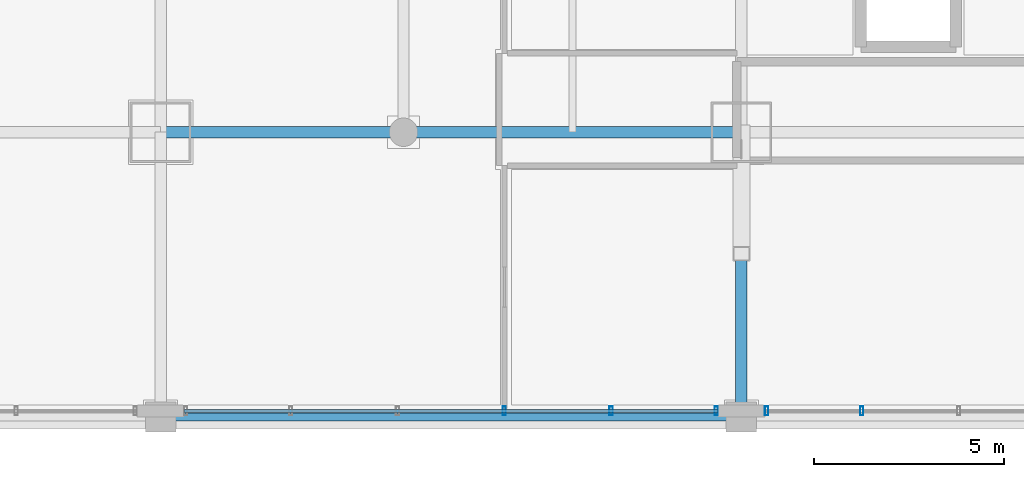
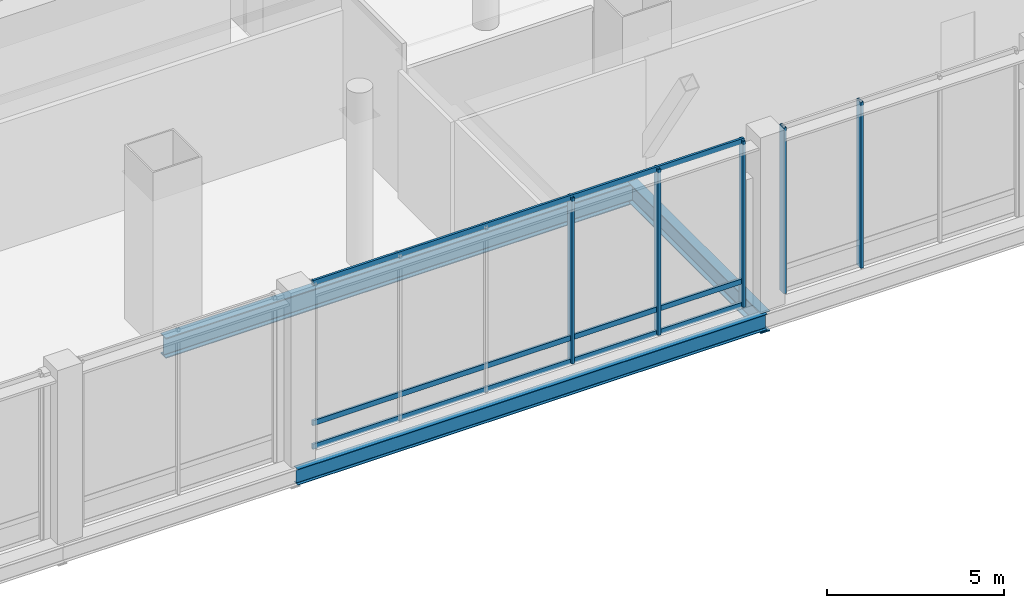
# One storey, part 7 of 38: 8 members, 3 beams, 2 elements without a shape of their own.
"""IFC4 building model written with IfcOpenShell, lengths in metres."""

import ifcopenshell
import ifcopenshell.guid

model = None  # the IFC model being written
_history = None  # IfcOwnerHistory: only IFC2X3 demands one
_inside = {}  # id of a spatial element -> (the spatial element, [elements in it])
_under = {}  # id of a project, library or spatial element -> (it, [spatial elements below it])
_declared = {}  # id of a project -> (the project, [libraries it declares])
_typed = {}  # id of a type object -> (the type object, [elements of that type])
_made_of = {}  # id of a material, layer set ... -> (it, [elements and type objects made of it])


def new_model(schema):
    """Start an empty IFC model of exactly this schema.

    Asked for "IFC4X3", IfcOpenShell would pick the latest addendum, in which some entities
    have other attributes; the version numbers below select the first issue.
    IFC2X3 requires an IfcOwnerHistory on every rooted entity: one is made here for all.
    """
    global model, _history
    if schema == "IFC4X3":
        model = ifcopenshell.file(schema_version=(4, 3, 0, 0))
    else:
        model = ifcopenshell.file(schema=schema)
    _inside.clear()
    _under.clear()
    _declared.clear()
    _typed.clear()
    _made_of.clear()
    _history = None
    if model.schema == "IFC2X3":
        org = make("IfcOrganization", Name="unknown")
        user = make(
            "IfcPersonAndOrganization",
            ThePerson=make("IfcPerson", FamilyName="unknown"),
            TheOrganization=org,
        )
        app = make(
            "IfcApplication",
            ApplicationDeveloper=org,
            Version="unknown",
            ApplicationFullName="unknown",
            ApplicationIdentifier="unknown",
        )
        _history = make(
            "IfcOwnerHistory",
            OwningUser=user,
            OwningApplication=app,
            ChangeAction="ADDED",
            CreationDate=0,
        )
    return model


def make(cls, **values):
    """One entity of the class cls with the attributes given. An attribute that is None is left unset."""
    return model.create_entity(
        cls, **{name: value for name, value in values.items() if value is not None}
    )


def rooted(cls, **values):
    """An entity with a GlobalId (a new one), such as an element, a storey or a relation."""
    return make(cls, GlobalId=ifcopenshell.guid.new(), OwnerHistory=_history, **values)


def si_unit(unit_type, name, prefix=None):
    """IfcSIUnit, for example si_unit("LENGTHUNIT", "METRE", prefix="MILLI")."""
    return make("IfcSIUnit", UnitType=unit_type, Prefix=prefix, Name=name)


def assignment(units):
    """IfcUnitAssignment: the units of a project."""
    return None if units is None else make("IfcUnitAssignment", Units=units)


def point(xyz):
    """IfcCartesianPoint."""
    return None if xyz is None else make("IfcCartesianPoint", Coordinates=xyz)


def direction(xyz):
    """IfcDirection."""
    return None if xyz is None else make("IfcDirection", DirectionRatios=xyz)


def frame(location, z_axis=None, x_axis=None):
    """IfcAxis2Placement3D, a coordinate frame: its origin and axes. An axis left out is left unset."""
    return make(
        "IfcAxis2Placement3D",
        Location=point(location),
        Axis=direction(z_axis),
        RefDirection=direction(x_axis),
    )


def frame_2d(location, x_axis=None):
    """IfcAxis2Placement2D, a coordinate frame in the plane: its origin and x axis."""
    return make(
        "IfcAxis2Placement2D", Location=point(location), RefDirection=direction(x_axis)
    )


def origin():
    """The frame at (0, 0, 0) with its axes left unset."""
    return frame((0.0, 0.0, 0.0))


def origin_2d():
    """The frame at (0, 0) in the plane with its x axis left unset."""
    return frame_2d((0.0, 0.0))


def place(relative_to, where):
    """IfcLocalPlacement: puts the frame where relative to a parent placement (None: the world)."""
    return make(
        "IfcLocalPlacement", PlacementRelTo=relative_to, RelativePlacement=where
    )


def context(
    kind, dimensions, precision=None, world=None, true_north=None, identifier=None
):
    """IfcGeometricRepresentationContext, for example the 3D "Model" context."""
    return make(
        "IfcGeometricRepresentationContext",
        ContextIdentifier=identifier,
        ContextType=kind,
        CoordinateSpaceDimension=dimensions,
        Precision=precision,
        WorldCoordinateSystem=world,
        TrueNorth=true_north,
    )


def subcontext(parent, identifier, kind, view, scale=None):
    """IfcGeometricRepresentationSubContext, for example "Body" below "Model"."""
    return make(
        "IfcGeometricRepresentationSubContext",
        ContextIdentifier=identifier,
        ContextType=kind,
        ParentContext=parent,
        TargetScale=scale,
        TargetView=view,
    )


def project(units=None, contexts=None):
    """IfcProject with its units and contexts."""
    return rooted(
        "IfcProject",
        Name="project",
        RepresentationContexts=contexts,
        UnitsInContext=assignment(units),
    )


def spatial(cls, under=None, at=None, **own):
    """A site, building, storey or space (cls), placed at a placement, below another one or the project."""
    s = rooted(cls, ObjectPlacement=at, **own)
    if under is not None:
        _under.setdefault(under.id(), (under, []))[1].append(s)
    return s


def profile(cls, at=None, kind="AREA", **sizes):
    """A parametric profile (cls). Its sizes go by their IFC names, for example OverallWidth=200.0."""
    return make(cls, ProfileType=kind, Position=at, **sizes)


def hollow_rectangle(**sizes):
    """IfcRectangleHollowProfileDef."""
    return profile("IfcRectangleHollowProfileDef", **sizes)


def i_section(**sizes):
    """IfcIShapeProfileDef."""
    return profile("IfcIShapeProfileDef", **sizes)


def extrude(swept, where, along, depth):
    """IfcExtrudedAreaSolid: the profile swept, set in the frame where, extruded along a direction by depth."""
    return make(
        "IfcExtrudedAreaSolid",
        SweptArea=swept,
        Position=where,
        ExtrudedDirection=direction(along),
        Depth=depth,
    )


def shape(context_of_items, identifier, shape_type, items):
    """IfcShapeRepresentation: the items that make up one representation, for example the "Body"."""
    return make(
        "IfcShapeRepresentation",
        ContextOfItems=context_of_items,
        RepresentationIdentifier=identifier,
        RepresentationType=shape_type,
        Items=items,
    )


def material(Name=None, Category=None):
    """IfcMaterial."""
    return make("IfcMaterial", Name=Name, Category=Category)


def material_profile(
    of_material, cross_section, Name=None, Category=None, Priority=None
):
    """IfcMaterialProfile: a cross section and its material."""
    return make(
        "IfcMaterialProfile",
        Name=Name,
        Material=of_material,
        Profile=cross_section,
        Priority=Priority,
        Category=Category,
    )


def profile_set(profiles, Name=None, composite=None):
    """IfcMaterialProfileSet."""
    return make(
        "IfcMaterialProfileSet",
        Name=Name,
        MaterialProfiles=profiles,
        CompositeProfile=composite,
    )


def made_of(thing, what):
    """Note that an element or type object is made of a material, layer set ...; save() writes the relation."""
    if what is not None:
        _made_of.setdefault(what.id(), (what, []))[1].append(thing)
    return thing


def type_object(cls, material=None, **own):
    """A type object (cls), such as IfcWallType, which elements share."""
    return made_of(rooted(cls, **own), material)


def element(
    cls,
    number,
    at=None,
    inside=None,
    cuts=None,
    type_object=None,
    material=None,
    context=None,
    identifier="Body",
    shape_type=None,
    held_by="IfcProductDefinitionShape",
    body=None,
    shapes=None,
    **own,
):
    """One element of the class cls, such as IfcWall. Its Tag is "e" and its number.

    at: its placement. inside: the storey or other place that contains it. cuts: it is an
    opening in that element (IfcRelVoidsElement). A single representation is given by context,
    identifier, shape_type and body (its items); several are given by shapes. held_by: the class
    of the entity that holds the representations. save() writes the other relations.
    """
    e = rooted(cls, Tag="e%d" % number, ObjectPlacement=at, **own)
    if body is not None:
        shapes = [shape(context, identifier, shape_type, body)]
    if shapes is not None:
        e.Representation = make(held_by, Representations=shapes)
    if inside is not None:
        _inside.setdefault(inside.id(), (inside, []))[1].append(e)
    if cuts is not None:
        rooted(
            "IfcRelVoidsElement", RelatingBuildingElement=cuts, RelatedOpeningElement=e
        )
    if type_object is not None:
        _typed.setdefault(type_object.id(), (type_object, []))[1].append(e)
    return made_of(e, material)


def aggregate(whole, parts):
    """IfcRelAggregates: a whole, such as a stair, and the parts it consists of."""
    return rooted("IfcRelAggregates", RelatingObject=whole, RelatedObjects=parts)


def save(model, path):
    """Write the relations noted so far, then the file.

    IfcRelAggregates (storeys below a building ...), IfcRelContainedInSpatialStructure (elements
    in a storey), IfcRelDefinesByType, IfcRelAssociatesMaterial and IfcRelDeclares: one each for
    every whole, place, type object, material and project.
    """
    for whole, parts in _under.values():
        aggregate(whole, parts)
    for where, things in _inside.values():
        rooted(
            "IfcRelContainedInSpatialStructure",
            RelatedElements=things,
            RelatingStructure=where,
        )
    for kind, things in _typed.values():
        rooted("IfcRelDefinesByType", RelatedObjects=things, RelatingType=kind)
    for what, things in _made_of.values():
        rooted("IfcRelAssociatesMaterial", RelatedObjects=things, RelatingMaterial=what)
    for by, libraries in _declared.values():
        rooted("IfcRelDeclares", RelatingContext=by, RelatedDefinitions=libraries)
    model.write(path)


model = new_model("IFC4")

# Units and contexts
model_context = context("Model", 3, precision=1e-05, world=origin(), true_north=direction((0.0, 1.0)))
body_context = subcontext(model_context, "Body", "Model", "MODEL_VIEW")
ifc_project = project(units=[si_unit("LENGTHUNIT", "METRE"), si_unit("AREAUNIT", "SQUARE_METRE"), si_unit("VOLUMEUNIT", "CUBIC_METRE"), si_unit("PLANEANGLEUNIT", "RADIAN"), si_unit("MASSUNIT", "GRAM", prefix="KILO")], contexts=[model_context])

# Site, building, storey
site_placement = place(None, origin())
site = spatial("IfcSite", under=ifc_project, at=site_placement, CompositionType="ELEMENT")
building_placement = place(site_placement, origin())
building = spatial("IfcBuilding", under=site, at=building_placement, Name="Punatoya Terracotta Tower", CompositionType="ELEMENT")
storey_placement = place(building_placement, frame((0.0, 0.0, 22.199951171875)))
storey = spatial("IfcBuildingStorey", under=building, at=storey_placement, Name="L04", CompositionType="ELEMENT", Elevation=22.199951171875)

# Beams
ifc_material_1 = material(Name="Steel S355", Category="steel")
ifc_material_profile_1 = material_profile(ifc_material_1, i_section(OverallWidth=0.300048828125, OverallDepth=0.699951171875, WebThickness=0.01708984375, FlangeThickness=0.031982421875, FilletRadius=0.01806640625, at=origin_2d()))
ifc_profile_set_1 = profile_set([ifc_material_profile_1], Name="Steel S355")
beam_type_1 = type_object("IfcBeamType", Name="BM-PRI-700", PredefinedType="BEAM", material=ifc_profile_set_1)
beam_1_placement = place(storey_placement, frame((3.800048828125, -17.5, -0.72998046875), z_axis=(1.0, 0.0, 0.0), x_axis=(0.0, 1.0, 0.0)))
element("IfcBeam", 1, at=beam_1_placement, inside=storey, type_object=beam_type_1, Name="BM-L04-RG-S3", PredefinedType="BEAM", context=body_context, shape_type="SweptSolid", body=[
    extrude(i_section(OverallWidth=0.300048828125, OverallDepth=0.699951171875, WebThickness=0.01708984375, FlangeThickness=0.031982421875, FilletRadius=0.01806640625, at=origin_2d()), origin(), (0.0, 0.0, 1.0), 15.300048828125),
])
beam_2_placement = place(storey_placement, frame((19.10009765625, -25.0, -0.72998046875), z_axis=(0.0, 1.0, 0.0), x_axis=(-1.0, 0.0, 0.0)))
element("IfcBeam", 2, at=beam_2_placement, inside=storey, type_object=beam_type_1, Name="BM-L04-M19E--25", PredefinedType="BEAM", context=body_context, shape_type="SweptSolid", body=[
    extrude(i_section(OverallWidth=0.300048828125, OverallDepth=0.699951171875, WebThickness=0.01708984375, FlangeThickness=0.031982421875, FilletRadius=0.01806640625, at=origin_2d()), origin(), (0.0, 0.0, 1.0), 7.5),
])
ifc_material_profile_2 = material_profile(ifc_material_1, i_section(OverallWidth=0.2099609375, OverallDepth=0.550048828125, WebThickness=0.010986328125, FlangeThickness=0.01708984375, FilletRadius=0.01806640625, at=origin_2d()))
ifc_profile_set_2 = profile_set([ifc_material_profile_2], Name="Steel S355")
beam_type_2 = type_object("IfcBeamType", Name="BM-SPN-550", PredefinedType="SPANDREL", material=ifc_profile_set_2)
beam_3_placement = place(storey_placement, frame((3.800048828125, -25.0, -0.655029296875), z_axis=(1.0, 0.0, 0.0), x_axis=(0.0, 1.0, 0.0)))
element("IfcBeam", 3, at=beam_3_placement, inside=storey, type_object=beam_type_2, Name="BM-L04-MIDA-3", PredefinedType="SPANDREL", context=body_context, shape_type="SweptSolid", body=[
    extrude(i_section(OverallWidth=0.2099609375, OverallDepth=0.550048828125, WebThickness=0.010986328125, FlangeThickness=0.01708984375, FilletRadius=0.01806640625, at=origin_2d()), origin(), (0.0, 0.0, 1.0), 15.300048828125),
])

# Curtain wall, members
ifc_material_2 = material(Name="Aluminium 6063-T6 + Double Low-E Glass", Category="aluminium")
curtain_wall_type = type_object("IfcCurtainWallType", Name="CW-POD", PredefinedType="NOTDEFINED", material=ifc_material_2)
curtain_wall_1_placement = place(storey_placement, origin())
curtain_wall_1 = element("IfcCurtainWall", 4, at=curtain_wall_1_placement, inside=storey, type_object=curtain_wall_type, Name="L04 Curtain Wall CWP-L04-S5", PredefinedType="NOTDEFINED")
ifc_material_3 = material(Name="Aluminium 6063-T6", Category="aluminium")
ifc_material_profile_3 = material_profile(ifc_material_3, hollow_rectangle(XDim=0.0849609375, YDim=0.239990234375, WallThickness=0.0048828125, at=origin_2d()))
ifc_profile_set_3 = profile_set([ifc_material_profile_3], Name="Aluminium 6063-T6")
member_type_1 = type_object("IfcMemberType", Name="CW-MUL-POD", PredefinedType="MULLION", material=ifc_profile_set_3)
member_1_placement = place(storey_placement, frame((12.85595703125, -24.840087890625, 0.0), z_axis=(0.0, 0.0, 1.0), x_axis=(1.0, 0.0, 0.0)))
member_1 = element("IfcMember", 5, at=member_1_placement, type_object=member_type_1, Name="CWP-L04-S5 Mullion 03", PredefinedType="MULLION", context=body_context, shape_type="SweptSolid", body=[
    extrude(hollow_rectangle(XDim=0.0849609375, YDim=0.239990234375, WallThickness=0.0048828125, at=origin_2d()), origin(), (0.0, 0.0, 1.0), 5.719970703125),
])
member_2_placement = place(storey_placement, frame((15.66796875, -24.840087890625, 0.0), z_axis=(0.0, 0.0, 1.0), x_axis=(1.0, 0.0, 0.0)))
member_2 = element("IfcMember", 6, at=member_2_placement, type_object=member_type_1, Name="CWP-L04-S5 Mullion 04", PredefinedType="MULLION", context=body_context, shape_type="SweptSolid", body=[
    extrude(hollow_rectangle(XDim=0.0849609375, YDim=0.239990234375, WallThickness=0.0048828125, at=origin_2d()), origin(), (0.0, 0.0, 1.0), 5.719970703125),
])
member_3_placement = place(storey_placement, frame((18.43505859375, -24.840087890625, 0.0), z_axis=(0.0, 0.0, 1.0), x_axis=(1.0, 0.0, 0.0)))
member_3 = element("IfcMember", 7, at=member_3_placement, type_object=member_type_1, Name="CWP-L04-S5 Mullion 05", PredefinedType="MULLION", context=body_context, shape_type="SweptSolid", body=[
    extrude(hollow_rectangle(XDim=0.0849609375, YDim=0.239990234375, WallThickness=0.0048828125, at=origin_2d()), origin(), (0.0, 0.0, 1.0), 5.719970703125),
])

curtain_wall_2_placement = place(storey_placement, origin())
curtain_wall_2 = element("IfcCurtainWall", 8, at=curtain_wall_2_placement, inside=storey, type_object=curtain_wall_type, Name="L04 Curtain Wall CWP-L04-S6", PredefinedType="NOTDEFINED")
member_4_placement = place(storey_placement, frame((19.764892578125, -24.840087890625, 0.0), z_axis=(0.0, 0.0, 1.0), x_axis=(1.0, 0.0, 0.0)))
member_4 = element("IfcMember", 9, at=member_4_placement, type_object=member_type_1, Name="CWP-L04-S6 Mullion 00", PredefinedType="MULLION", context=body_context, shape_type="SweptSolid", body=[
    extrude(hollow_rectangle(XDim=0.0849609375, YDim=0.239990234375, WallThickness=0.0048828125, at=origin_2d()), origin(), (0.0, 0.0, 1.0), 5.719970703125),
])
member_5_placement = place(storey_placement, frame((22.273193359375, -24.840087890625, 0.0), z_axis=(0.0, 0.0, 1.0), x_axis=(1.0, 0.0, 0.0)))
member_5 = element("IfcMember", 10, at=member_5_placement, type_object=member_type_1, Name="CWP-L04-S6 Mullion 01", PredefinedType="MULLION", context=body_context, shape_type="SweptSolid", body=[
    extrude(hollow_rectangle(XDim=0.0849609375, YDim=0.239990234375, WallThickness=0.0048828125, at=origin_2d()), origin(), (0.0, 0.0, 1.0), 5.719970703125),
])
aggregate(curtain_wall_2, [member_4, member_5])

# Member
ifc_material_profile_4 = material_profile(ifc_material_3, hollow_rectangle(XDim=0.074951171875, YDim=0.175048828125, WallThickness=0.00439453125, at=origin_2d()))
ifc_profile_set_4 = profile_set([ifc_material_profile_4], Name="Aluminium 6063-T6")
member_type_2 = type_object("IfcMemberType", Name="CW-TRN-POD", PredefinedType="USERDEFINED", material=ifc_profile_set_4)
member_6_placement = place(storey_placement, frame((4.419921875, -24.840087890625, 0.0400390625), z_axis=(1.0, 0.0, 0.0), x_axis=(0.0, 1.0, 0.0)))
member_6 = element("IfcMember", 11, at=member_6_placement, type_object=member_type_2, Name="CWP-L04-S5 Transom 1", ObjectType="TRANSOM", PredefinedType="USERDEFINED", context=body_context, shape_type="SweptSolid", body=[
    extrude(hollow_rectangle(XDim=0.074951171875, YDim=0.175048828125, WallThickness=0.00439453125, at=origin_2d()), origin(), (0.0, 0.0, 1.0), 14.06005859375),
])

member_7_placement = place(storey_placement, frame((4.419921875, -24.840087890625, 0.85009765625), z_axis=(1.0, 0.0, 0.0), x_axis=(0.0, 1.0, 0.0)))
member_7 = element("IfcMember", 12, at=member_7_placement, type_object=member_type_2, Name="CWP-L04-S5 Transom 2", ObjectType="TRANSOM", PredefinedType="USERDEFINED", context=body_context, shape_type="SweptSolid", body=[
    extrude(hollow_rectangle(XDim=0.074951171875, YDim=0.175048828125, WallThickness=0.00439453125, at=origin_2d()), origin(), (0.0, 0.0, 1.0), 14.06005859375),
])

member_8_placement = place(storey_placement, frame((4.419921875, -24.840087890625, 5.679931640625), z_axis=(1.0, 0.0, 0.0), x_axis=(0.0, 1.0, 0.0)))
member_8 = element("IfcMember", 13, at=member_8_placement, type_object=member_type_2, Name="CWP-L04-S5 Transom 3", ObjectType="TRANSOM", PredefinedType="USERDEFINED", context=body_context, shape_type="SweptSolid", body=[
    extrude(hollow_rectangle(XDim=0.074951171875, YDim=0.175048828125, WallThickness=0.00439453125, at=origin_2d()), origin(), (0.0, 0.0, 1.0), 14.06005859375),
])

aggregate(curtain_wall_1, [member_1, member_2, member_3, member_6, member_7, member_8])

save(model, "model.ifc")
